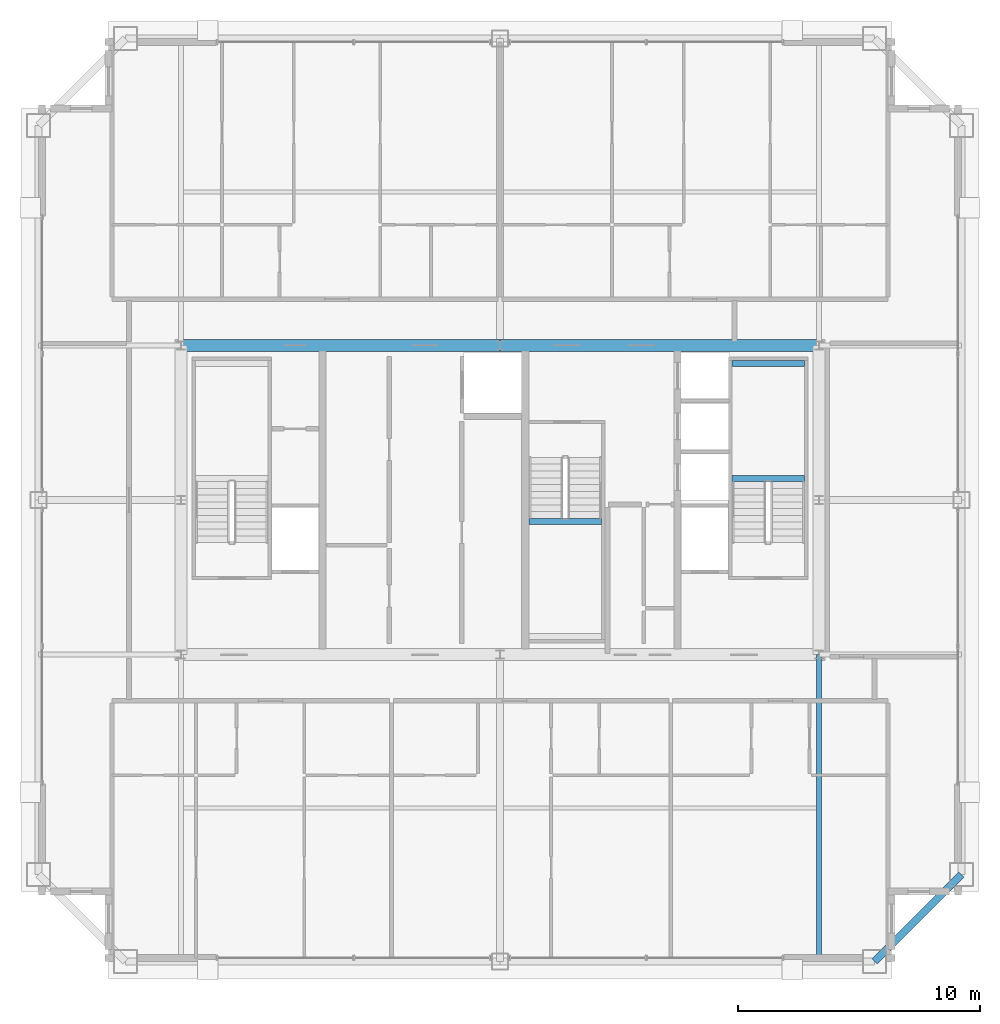
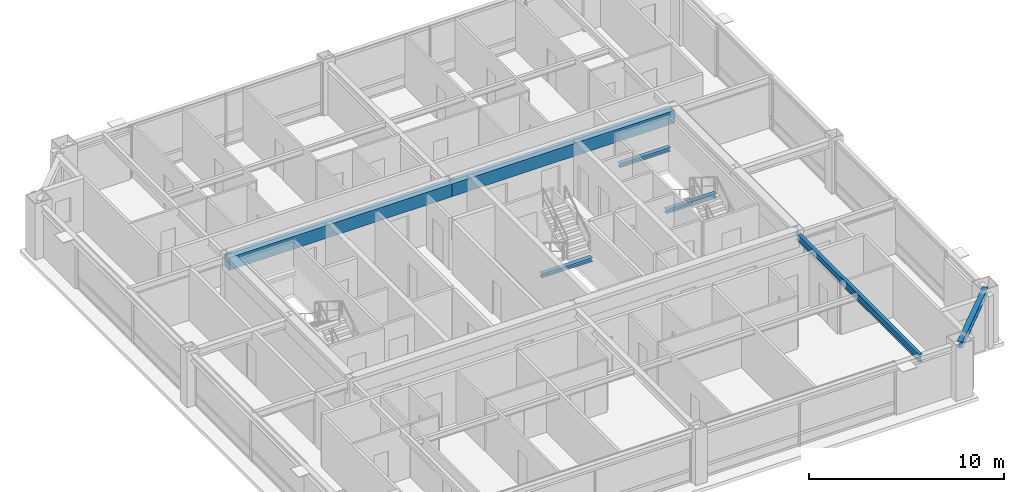
# One storey, part 13 of 35: 7 beams.
"""IFC4 building model written with IfcOpenShell, lengths in metres."""

from ifc_helpers import new_model, si_unit, direction, frame, origin, origin_2d, place, context, subcontext, project, spatial, rectangle, i_section, extrude, source, transform, mapped, material, material_profile, profile_set, type_object, element, save


model = new_model("IFC4")

# Units and contexts
model_context = context("Model", 3, precision=1e-05, world=origin(), true_north=direction((0.0, 1.0)))
body_context = subcontext(model_context, "Body", "Model", "MODEL_VIEW")
ifc_project = project(units=[si_unit("LENGTHUNIT", "METRE"), si_unit("AREAUNIT", "SQUARE_METRE"), si_unit("VOLUMEUNIT", "CUBIC_METRE"), si_unit("PLANEANGLEUNIT", "RADIAN"), si_unit("MASSUNIT", "GRAM", prefix="KILO"), si_unit("THERMODYNAMICTEMPERATUREUNIT", "KELVIN"), si_unit("POWERUNIT", "WATT")], contexts=[model_context])

# Site, building, storey
site_placement = place(None, origin())
site = spatial("IfcSite", under=ifc_project, at=site_placement, CompositionType="ELEMENT")
building_placement = place(site_placement, origin())
building = spatial("IfcBuilding", under=site, at=building_placement, Name="Yuzanri Waterfront Tower", CompositionType="ELEMENT")
storey_placement = place(building_placement, frame((0.0, 0.0, 332.199951171875)))
storey = spatial("IfcBuildingStorey", under=building, at=storey_placement, Name="L89", CompositionType="ELEMENT", Elevation=332.199951171875)

# Beams
ifc_material_1 = material(Name="Concrete C50", Category="concrete")
ifc_material_profile_1 = material_profile(ifc_material_1, rectangle(XDim=0.5, YDim=0.800048828125, at=origin_2d()), Name="RC 500x800")
ifc_profile_set_1 = profile_set([ifc_material_profile_1], Name="Concrete C50")
beam_type_1 = type_object("IfcBeamType", Name="Core Coupling Lintel Concrete C50 500x800", PredefinedType="LINTEL", material=ifc_profile_set_1)
shared_shape_1 = source(origin(), body_context, "Body", "SweptSolid", [
    extrude(rectangle(XDim=0.5, YDim=0.800048828125, at=origin_2d()), origin(), (0.0, 0.0, 1.0), 13.199951171875),
])
for number, where, z_axis, x_axis, name in (
    (1, (23.800048828125, 32.199951171875, 2.880126953125), (1.0, 0.0, 0.0), (0.0, 1.0, 0.0), "L89 Core Tie Beam CN1"),
    (2, (37.0, 32.199951171875, 2.880126953125), (1.0, 0.0, 0.0), (0.0, 1.0, 0.0), "L89 Core Tie Beam CN2"),
):
    element("IfcBeam", number, at=place(storey_placement, frame(where, z_axis=z_axis, x_axis=x_axis)), inside=storey, type_object=beam_type_1, Name=name, PredefinedType="LINTEL", context=body_context, shape_type="MappedRepresentation", body=[
        mapped(shared_shape_1, transform((0.0, 0.0, 0.0), scale=1.0)),
    ])
ifc_material_2 = material(Name="Steel Q355B", Category="steel")
ifc_material_profile_2 = material_profile(ifc_material_2, i_section(OverallWidth=0.300048828125, OverallDepth=0.389892578125, WebThickness=0.010009765625, FlangeThickness=0.01611328125, at=origin_2d()), Name="HM 390x300x10x16")
ifc_profile_set_2 = profile_set([ifc_material_profile_2], Name="Steel Q355B")
beam_type_2 = type_object("IfcBeamType", Name="Perimeter Spandrel Q355B HM 390x300", PredefinedType="SPANDREL", material=ifc_profile_set_2)
shared_shape_2 = source(origin(), body_context, "Body", "SweptSolid", [
    extrude(i_section(OverallWidth=0.300048828125, OverallDepth=0.389892578125, WebThickness=0.010009765625, FlangeThickness=0.01611328125, at=origin_2d()), origin(), (0.0, 0.0, 1.0), 5.09130859375),
])
beam_1_placement = place(storey_placement, frame((52.5, 6.699951171875, 3.0849609375), z_axis=(0.707106781187, 0.707106781187, 0.0), x_axis=(-0.707106781187, 0.707106781187, 0.0)))
element("IfcBeam", 3, at=beam_1_placement, inside=storey, type_object=beam_type_2, Name="L89 Perimeter Spandrel S3-E1", PredefinedType="SPANDREL", context=body_context, shape_type="MappedRepresentation", body=[
    mapped(shared_shape_2, transform((0.0, 0.0, 0.0), scale=1.0)),
])
ifc_material_3 = material(Name="Steel Q355B", Category="steel")
ifc_material_profile_3 = material_profile(ifc_material_3, i_section(OverallWidth=0.199951171875, OverallDepth=0.449951171875, WebThickness=0.009033203125, FlangeThickness=0.013916015625, at=origin_2d()), Name="HN 450x200x9x14")
ifc_profile_set_3 = profile_set([ifc_material_profile_3], Name="Steel Q355B")
beam_type_3 = type_object("IfcBeamType", Name="Secondary Floor Beam Q355B HN 450x200", PredefinedType="BEAM", material=ifc_profile_set_3)
shared_shape_3 = source(origin(), body_context, "Body", "SweptSolid", [
    extrude(i_section(OverallWidth=0.199951171875, OverallDepth=0.449951171875, WebThickness=0.009033203125, FlangeThickness=0.013916015625, at=origin_2d()), origin(), (0.0, 0.0, 1.0), 12.699951171875),
])
beam_2_placement = place(storey_placement, frame((50.199951171875, 19.39990234375, 3.054931640625), z_axis=(0.0, -1.0, 0.0), x_axis=(1.0, 0.0, 0.0)))
element("IfcBeam", 4, at=beam_2_placement, inside=storey, type_object=beam_type_3, Name="L89 South-East Core Line Beam", PredefinedType="BEAM", context=body_context, shape_type="MappedRepresentation", body=[
    mapped(shared_shape_3, transform((0.0, 0.0, 0.0), scale=1.0)),
])
ifc_material_4 = material(Name="Steel Q355B", Category="steel")
ifc_material_profile_4 = material_profile(ifc_material_4, i_section(OverallWidth=0.25, OverallDepth=0.25, WebThickness=0.009033203125, FlangeThickness=0.013916015625, at=origin_2d()), Name="HW 250x250x9x14")
ifc_profile_set_4 = profile_set([ifc_material_profile_4], Name="Steel Q355B")
beam_type_4 = type_object("IfcBeamType", Name="Stair Landing Support Beam Q355B HW 250x250", PredefinedType="BEAM", material=ifc_profile_set_4)
shared_shape_4 = source(origin(), body_context, "Body", "SweptSolid", [
    extrude(i_section(OverallWidth=0.25, OverallDepth=0.25, WebThickness=0.009033203125, FlangeThickness=0.013916015625, at=origin_2d()), origin(), (0.0, 0.0, 1.0), 3.0),
])
for number, where, z_axis, x_axis, name in (
    (5, (46.60009765625, 26.68994140625, 1.425048828125), (1.0, 0.0, 0.0), (0.0, 1.0, 0.0), "L89 Stair Landing Support Beam ST-02-L89-L1-1"),
    (6, (46.60009765625, 31.449951171875, 1.425048828125), (1.0, 0.0, 0.0), (0.0, 1.0, 0.0), "L89 Stair Landing Support Beam ST-02-L89-L1-2"),
    (7, (38.199951171875, 24.909912109375, 1.425048828125), (1.0, 0.0, 0.0), (0.0, 1.0, 0.0), "L89 Stair Landing Support Beam ST-03-L89-L1-2"),
):
    element("IfcBeam", number, at=place(storey_placement, frame(where, z_axis=z_axis, x_axis=x_axis)), inside=storey, type_object=beam_type_4, Name=name, PredefinedType="BEAM", context=body_context, shape_type="MappedRepresentation", body=[
        mapped(shared_shape_4, transform((0.0, 0.0, 0.0), scale=1.0)),
    ])

save(model, "model.ifc")
